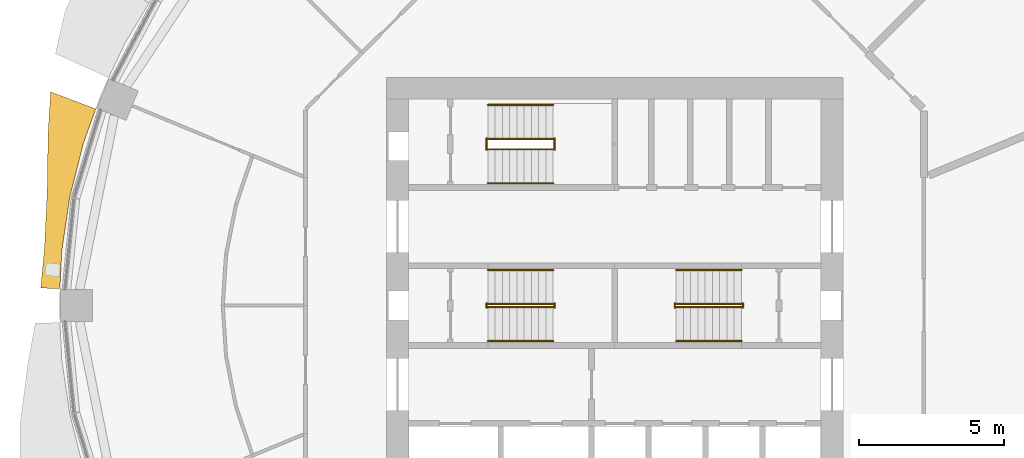
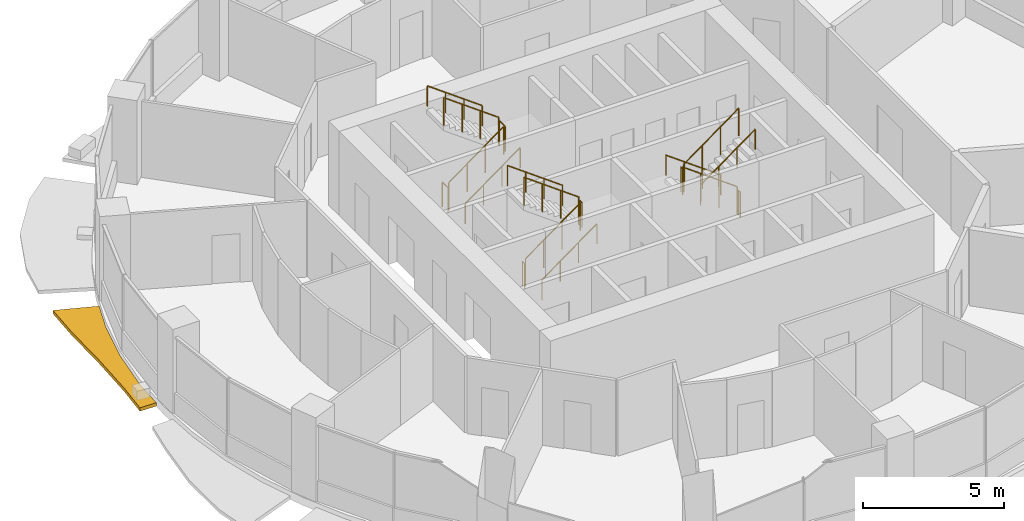
# One storey, part 12 of 14: 18 railings, 1 shading device.
"""IFC4 building model written with IfcOpenShell, lengths in metres."""

from ifc_helpers import new_model, si_unit, direction, frame, origin, origin_2d, place, context, subcontext, project, spatial, polyline, circle, outline, extrude, material, type_object, element, save


model = new_model("IFC4")

# Units and contexts
model_context = context("Model", 3, precision=1e-05, world=origin(), true_north=direction((0.0, 1.0)))
body_context = subcontext(model_context, "Body", "Model", "MODEL_VIEW")
ifc_project = project(units=[si_unit("LENGTHUNIT", "METRE"), si_unit("AREAUNIT", "SQUARE_METRE"), si_unit("VOLUMEUNIT", "CUBIC_METRE"), si_unit("PLANEANGLEUNIT", "RADIAN"), si_unit("MASSUNIT", "GRAM", prefix="KILO")], contexts=[model_context])

# Site, building, storey
site_placement = place(None, origin())
site = spatial("IfcSite", under=ifc_project, at=site_placement, CompositionType="ELEMENT")
building_placement = place(site_placement, origin())
building = spatial("IfcBuilding", under=site, at=building_placement, Name="Polderwave Tower", CompositionType="ELEMENT")
storey_placement = place(building_placement, frame((0.0, 0.0, 105.60009765625)))
storey = spatial("IfcBuildingStorey", under=building, at=storey_placement, Name="L27", CompositionType="ELEMENT", Elevation=105.60009765625)

# Railings
ifc_material_1 = material(Name="Stainless steel", Category="steel")
railing_type_1 = type_object("IfcRailingType", Name="Stair guard 1100", PredefinedType="GUARDRAIL", material=ifc_material_1)
railing_1_placement = place(storey_placement, frame((-4.3740234375, -0.051025390625, 0.062255859375)))
element("IfcRailing", 1, at=railing_1_placement, inside=storey, type_object=railing_type_1, Name="L27 ST-A stair guard 1", PredefinedType="GUARDRAIL", context=body_context, shape_type="SweptSolid", body=[
    extrude(circle(Radius=0.02392578125, at=origin_2d()), frame((0.0, 0.0, 1.1962890625), z_axis=(0.807673635365, 0.0, 0.58962979804), x_axis=(0.0, 1.0, 0.0)), (0.0, 0.0, 1.0), 2.785888671875),
    extrude(circle(Radius=0.02392578125, at=origin_2d()), origin(), (0.0, 0.0, 1.0), 1.172119140625),
    extrude(circle(Radius=0.02392578125, at=origin_2d()), frame((0.75, 0.0, 0.547607421875)), (0.0, 0.0, 1.0), 1.172119140625),
    extrude(circle(Radius=0.02392578125, at=origin_2d()), frame((1.5, 0.0, 1.094970703125)), (0.0, 0.0, 1.0), 1.172119140625),
    extrude(circle(Radius=0.02392578125, at=origin_2d()), frame((2.25, 0.0, 1.642578125)), (0.0, 0.0, 1.0), 1.172119140625),
])
railing_2_placement = place(storey_placement, frame((-2.073974609375, -0.074951171875, 1.824951171875)))
element("IfcRailing", 2, at=railing_2_placement, inside=storey, type_object=railing_type_1, Name="L27 ST-A stair guard 2", PredefinedType="GUARDRAIL", context=body_context, shape_type="SweptSolid", body=[
    extrude(circle(Radius=0.02392578125, at=origin_2d()), frame((0.0, 0.0, 1.076171875), z_axis=(0.0, 1.0, 0.0), x_axis=(-1.0, 0.0, 0.0)), (0.0, 0.0, 1.0), 0.14990234375),
    extrude(circle(Radius=0.02099609375, at=origin_2d()), origin(), (0.0, 0.0, 1.0), 1.052001953125),
    extrude(circle(Radius=0.02099609375, at=origin_2d()), frame((0.0, 0.14990234375, 0.0)), (0.0, 0.0, 1.0), 1.052001953125),
])
railing_3_placement = place(storey_placement, frame((-2.1240234375, 0.051025390625, 1.88720703125)))
element("IfcRailing", 3, at=railing_3_placement, inside=storey, type_object=railing_type_1, Name="L27 ST-A stair guard 3", PredefinedType="GUARDRAIL", context=body_context, shape_type="SweptSolid", body=[
    extrude(circle(Radius=0.02392578125, at=origin_2d()), frame((0.0, 0.0, 1.1962890625), z_axis=(-0.807673635365, 0.0, 0.58962979804), x_axis=(0.0, -1.0, 0.0)), (0.0, 0.0, 1.0), 2.785888671875),
    extrude(circle(Radius=0.02392578125, at=origin_2d()), origin(), (0.0, 0.0, 1.0), 1.172119140625),
    extrude(circle(Radius=0.02392578125, at=origin_2d()), frame((-0.75, 0.0, 0.547607421875)), (0.0, 0.0, 1.0), 1.172119140625),
    extrude(circle(Radius=0.02392578125, at=origin_2d()), frame((-1.5, 0.0, 1.094970703125)), (0.0, 0.0, 1.0), 1.172119140625),
    extrude(circle(Radius=0.02392578125, at=origin_2d()), frame((-2.25, 0.0, 1.642578125)), (0.0, 0.0, 1.0), 1.172119140625),
])
railing_4_placement = place(storey_placement, frame((-4.424072265625, -0.074951171875, 0.0)))
element("IfcRailing", 4, at=railing_4_placement, inside=storey, type_object=railing_type_1, Name="L27 ST-A stair guard 4", PredefinedType="GUARDRAIL", context=body_context, shape_type="SweptSolid", body=[
    extrude(circle(Radius=0.02392578125, at=origin_2d()), frame((0.0, 0.0, 1.076171875), z_axis=(0.0, 1.0, 0.0), x_axis=(-1.0, 0.0, 0.0)), (0.0, 0.0, 1.0), 0.14990234375),
    extrude(circle(Radius=0.02099609375, at=origin_2d()), origin(), (0.0, 0.0, 1.0), 1.052001953125),
    extrude(circle(Radius=0.02099609375, at=origin_2d()), frame((0.0, 0.14990234375, 0.0)), (0.0, 0.0, 1.0), 1.052001953125),
])
railing_5_placement = place(storey_placement, frame((4.3740234375, 0.051025390625, 0.062255859375)))
element("IfcRailing", 5, at=railing_5_placement, inside=storey, type_object=railing_type_1, Name="L27 ST-B stair guard 1", PredefinedType="GUARDRAIL", context=body_context, shape_type="SweptSolid", body=[
    extrude(circle(Radius=0.02392578125, at=origin_2d()), frame((0.0, 0.0, 1.1962890625), z_axis=(-0.807673635365, 0.0, 0.58962979804), x_axis=(0.0, -1.0, 0.0)), (0.0, 0.0, 1.0), 2.785888671875),
    extrude(circle(Radius=0.02392578125, at=origin_2d()), origin(), (0.0, 0.0, 1.0), 1.172119140625),
    extrude(circle(Radius=0.02392578125, at=origin_2d()), frame((-0.75, 0.0, 0.547607421875)), (0.0, 0.0, 1.0), 1.172119140625),
    extrude(circle(Radius=0.02392578125, at=origin_2d()), frame((-1.5, 0.0, 1.094970703125)), (0.0, 0.0, 1.0), 1.172119140625),
    extrude(circle(Radius=0.02392578125, at=origin_2d()), frame((-2.25, 0.0, 1.642578125)), (0.0, 0.0, 1.0), 1.172119140625),
])
railing_6_placement = place(storey_placement, frame((2.073974609375, 0.074951171875, 1.824951171875)))
element("IfcRailing", 6, at=railing_6_placement, inside=storey, type_object=railing_type_1, Name="L27 ST-B stair guard 2", PredefinedType="GUARDRAIL", context=body_context, shape_type="SweptSolid", body=[
    extrude(circle(Radius=0.02392578125, at=origin_2d()), frame((0.0, 0.0, 1.076171875), z_axis=(0.0, -1.0, 0.0), x_axis=(1.0, 0.0, 0.0)), (0.0, 0.0, 1.0), 0.14990234375),
    extrude(circle(Radius=0.02099609375, at=origin_2d()), origin(), (0.0, 0.0, 1.0), 1.052001953125),
    extrude(circle(Radius=0.02099609375, at=origin_2d()), frame((0.0, -0.14990234375, 0.0)), (0.0, 0.0, 1.0), 1.052001953125),
])
railing_7_placement = place(storey_placement, frame((2.1240234375, -0.051025390625, 1.88720703125)))
element("IfcRailing", 7, at=railing_7_placement, inside=storey, type_object=railing_type_1, Name="L27 ST-B stair guard 3", PredefinedType="GUARDRAIL", context=body_context, shape_type="SweptSolid", body=[
    extrude(circle(Radius=0.02392578125, at=origin_2d()), frame((0.0, 0.0, 1.1962890625), z_axis=(0.807673635365, 0.0, 0.58962979804), x_axis=(0.0, 1.0, 0.0)), (0.0, 0.0, 1.0), 2.785888671875),
    extrude(circle(Radius=0.02392578125, at=origin_2d()), origin(), (0.0, 0.0, 1.0), 1.172119140625),
    extrude(circle(Radius=0.02392578125, at=origin_2d()), frame((0.75, 0.0, 0.547607421875)), (0.0, 0.0, 1.0), 1.172119140625),
    extrude(circle(Radius=0.02392578125, at=origin_2d()), frame((1.5, 0.0, 1.094970703125)), (0.0, 0.0, 1.0), 1.172119140625),
    extrude(circle(Radius=0.02392578125, at=origin_2d()), frame((2.25, 0.0, 1.642578125)), (0.0, 0.0, 1.0), 1.172119140625),
])
railing_8_placement = place(storey_placement, frame((4.424072265625, 0.074951171875, 0.0)))
element("IfcRailing", 8, at=railing_8_placement, inside=storey, type_object=railing_type_1, Name="L27 ST-B stair guard 4", PredefinedType="GUARDRAIL", context=body_context, shape_type="SweptSolid", body=[
    extrude(circle(Radius=0.02392578125, at=origin_2d()), frame((0.0, 0.0, 1.076171875), z_axis=(0.0, -1.0, 0.0), x_axis=(1.0, 0.0, 0.0)), (0.0, 0.0, 1.0), 0.14990234375),
    extrude(circle(Radius=0.02099609375, at=origin_2d()), origin(), (0.0, 0.0, 1.0), 1.052001953125),
    extrude(circle(Radius=0.02099609375, at=origin_2d()), frame((0.0, -0.14990234375, 0.0)), (0.0, 0.0, 1.0), 1.052001953125),
])
railing_9_placement = place(storey_placement, frame((-4.3740234375, 5.39794921875, 0.062255859375)))
element("IfcRailing", 9, at=railing_9_placement, inside=storey, type_object=railing_type_1, Name="L27 ST-C stair guard 1", PredefinedType="GUARDRAIL", context=body_context, shape_type="SweptSolid", body=[
    extrude(circle(Radius=0.02392578125, at=origin_2d()), frame((0.0, 0.0, 1.1962890625), z_axis=(0.807673635365, 0.0, 0.58962979804), x_axis=(0.0, 1.0, 0.0)), (0.0, 0.0, 1.0), 2.785888671875),
    extrude(circle(Radius=0.02392578125, at=origin_2d()), origin(), (0.0, 0.0, 1.0), 1.172119140625),
    extrude(circle(Radius=0.02392578125, at=origin_2d()), frame((0.75, 0.0, 0.547607421875)), (0.0, 0.0, 1.0), 1.172119140625),
    extrude(circle(Radius=0.02392578125, at=origin_2d()), frame((1.5, 0.0, 1.094970703125)), (0.0, 0.0, 1.0), 1.172119140625),
    extrude(circle(Radius=0.02392578125, at=origin_2d()), frame((2.25, 0.0, 1.642578125)), (0.0, 0.0, 1.0), 1.172119140625),
])
railing_10_placement = place(storey_placement, frame((-2.073974609375, 5.3740234375, 1.824951171875)))
element("IfcRailing", 10, at=railing_10_placement, inside=storey, type_object=railing_type_1, Name="L27 ST-C stair guard 2", PredefinedType="GUARDRAIL", context=body_context, shape_type="SweptSolid", body=[
    extrude(circle(Radius=0.02392578125, at=origin_2d()), frame((0.0, 0.0, 1.076171875), z_axis=(0.0, 1.0, 0.0), x_axis=(-1.0, 0.0, 0.0)), (0.0, 0.0, 1.0), 0.39990234375),
    extrude(circle(Radius=0.02099609375, at=origin_2d()), origin(), (0.0, 0.0, 1.0), 1.052001953125),
    extrude(circle(Radius=0.02099609375, at=origin_2d()), frame((0.0, 0.39990234375, 0.0)), (0.0, 0.0, 1.0), 1.052001953125),
])
railing_11_placement = place(storey_placement, frame((-2.1240234375, 5.75, 1.88720703125)))
element("IfcRailing", 11, at=railing_11_placement, inside=storey, type_object=railing_type_1, Name="L27 ST-C stair guard 3", PredefinedType="GUARDRAIL", context=body_context, shape_type="SweptSolid", body=[
    extrude(circle(Radius=0.02392578125, at=origin_2d()), frame((0.0, 0.0, 1.1962890625), z_axis=(-0.807673635365, 0.0, 0.58962979804), x_axis=(0.0, -1.0, 0.0)), (0.0, 0.0, 1.0), 2.785888671875),
    extrude(circle(Radius=0.02392578125, at=origin_2d()), origin(), (0.0, 0.0, 1.0), 1.172119140625),
    extrude(circle(Radius=0.02392578125, at=origin_2d()), frame((-0.75, 0.0, 0.547607421875)), (0.0, 0.0, 1.0), 1.172119140625),
    extrude(circle(Radius=0.02392578125, at=origin_2d()), frame((-1.5, 0.0, 1.094970703125)), (0.0, 0.0, 1.0), 1.172119140625),
    extrude(circle(Radius=0.02392578125, at=origin_2d()), frame((-2.25, 0.0, 1.642578125)), (0.0, 0.0, 1.0), 1.172119140625),
])
railing_12_placement = place(storey_placement, frame((-4.424072265625, 5.3740234375, 0.0)))
element("IfcRailing", 12, at=railing_12_placement, inside=storey, type_object=railing_type_1, Name="L27 ST-C stair guard 4", PredefinedType="GUARDRAIL", context=body_context, shape_type="SweptSolid", body=[
    extrude(circle(Radius=0.02392578125, at=origin_2d()), frame((0.0, 0.0, 1.076171875), z_axis=(0.0, 1.0, 0.0), x_axis=(-1.0, 0.0, 0.0)), (0.0, 0.0, 1.0), 0.39990234375),
    extrude(circle(Radius=0.02099609375, at=origin_2d()), origin(), (0.0, 0.0, 1.0), 1.052001953125),
    extrude(circle(Radius=0.02099609375, at=origin_2d()), frame((0.0, 0.39990234375, 0.0)), (0.0, 0.0, 1.0), 1.052001953125),
])
railing_type_2 = type_object("IfcRailingType", Name="Stair handrail 900", PredefinedType="HANDRAIL", material=ifc_material_1)
railing_13_placement = place(storey_placement, frame((-4.3740234375, -1.22509765625, 0.182373046875)))
element("IfcRailing", 13, at=railing_13_placement, inside=storey, type_object=railing_type_2, Name="L27 ST-A stair handrail 1", PredefinedType="HANDRAIL", context=body_context, shape_type="SweptSolid", body=[
    extrude(circle(Radius=0.02392578125, at=origin_2d()), frame((0.0, 0.0, 0.8759765625), z_axis=(0.807673635365, 0.0, 0.58962979804), x_axis=(0.0, 1.0, 0.0)), (0.0, 0.0, 1.0), 2.785888671875),
    extrude(circle(Radius=0.02099609375, at=origin_2d()), origin(), (0.0, 0.0, 1.0), 0.851806640625),
    extrude(circle(Radius=0.02099609375, at=origin_2d()), frame((0.75, 0.0, 0.547607421875)), (0.0, 0.0, 1.0), 0.851806640625),
    extrude(circle(Radius=0.02099609375, at=origin_2d()), frame((1.5, 0.0, 1.094970703125)), (0.0, 0.0, 1.0), 0.851806640625),
    extrude(circle(Radius=0.02099609375, at=origin_2d()), frame((2.25, 0.0, 1.642578125)), (0.0, 0.0, 1.0), 0.851806640625),
])
for number, where, name in (
    (14, (-2.1240234375, 1.22509765625, 2.00732421875), "L27 ST-A stair handrail 2"),
    (15, (4.3740234375, 1.22509765625, 0.182373046875), "L27 ST-B stair handrail 1"),
):
    element("IfcRailing", number, at=place(storey_placement, frame(where)), inside=storey, type_object=railing_type_2, Name=name, PredefinedType="HANDRAIL", context=body_context, shape_type="SweptSolid", body=[
        extrude(circle(Radius=0.02392578125, at=origin_2d()), frame((0.0, 0.0, 0.8759765625), z_axis=(-0.807673635365, 0.0, 0.58962979804), x_axis=(0.0, -1.0, 0.0)), (0.0, 0.0, 1.0), 2.785888671875),
        extrude(circle(Radius=0.02099609375, at=origin_2d()), origin(), (0.0, 0.0, 1.0), 0.851806640625),
        extrude(circle(Radius=0.02099609375, at=origin_2d()), frame((-0.75, 0.0, 0.547607421875)), (0.0, 0.0, 1.0), 0.851806640625),
        extrude(circle(Radius=0.02099609375, at=origin_2d()), frame((-1.5, 0.0, 1.094970703125)), (0.0, 0.0, 1.0), 0.851806640625),
        extrude(circle(Radius=0.02099609375, at=origin_2d()), frame((-2.25, 0.0, 1.642578125)), (0.0, 0.0, 1.0), 0.851806640625),
    ])
for number, where, name in (
    (16, (2.1240234375, -1.22509765625, 2.00732421875), "L27 ST-B stair handrail 2"),
    (17, (-4.3740234375, 4.22412109375, 0.182373046875), "L27 ST-C stair handrail 1"),
):
    element("IfcRailing", number, at=place(storey_placement, frame(where)), inside=storey, type_object=railing_type_2, Name=name, PredefinedType="HANDRAIL", context=body_context, shape_type="SweptSolid", body=[
        extrude(circle(Radius=0.02392578125, at=origin_2d()), frame((0.0, 0.0, 0.8759765625), z_axis=(0.807673635365, 0.0, 0.58962979804), x_axis=(0.0, 1.0, 0.0)), (0.0, 0.0, 1.0), 2.785888671875),
        extrude(circle(Radius=0.02099609375, at=origin_2d()), origin(), (0.0, 0.0, 1.0), 0.851806640625),
        extrude(circle(Radius=0.02099609375, at=origin_2d()), frame((0.75, 0.0, 0.547607421875)), (0.0, 0.0, 1.0), 0.851806640625),
        extrude(circle(Radius=0.02099609375, at=origin_2d()), frame((1.5, 0.0, 1.094970703125)), (0.0, 0.0, 1.0), 0.851806640625),
        extrude(circle(Radius=0.02099609375, at=origin_2d()), frame((2.25, 0.0, 1.642578125)), (0.0, 0.0, 1.0), 0.851806640625),
    ])
railing_14_placement = place(storey_placement, frame((-2.1240234375, 6.924072265625, 2.00732421875)))
element("IfcRailing", 18, at=railing_14_placement, inside=storey, type_object=railing_type_2, Name="L27 ST-C stair handrail 2", PredefinedType="HANDRAIL", context=body_context, shape_type="SweptSolid", body=[
    extrude(circle(Radius=0.02392578125, at=origin_2d()), frame((0.0, 0.0, 0.8759765625), z_axis=(-0.807673635365, 0.0, 0.58962979804), x_axis=(0.0, -1.0, 0.0)), (0.0, 0.0, 1.0), 2.785888671875),
    extrude(circle(Radius=0.02099609375, at=origin_2d()), origin(), (0.0, 0.0, 1.0), 0.851806640625),
    extrude(circle(Radius=0.02099609375, at=origin_2d()), frame((-0.75, 0.0, 0.547607421875)), (0.0, 0.0, 1.0), 0.851806640625),
    extrude(circle(Radius=0.02099609375, at=origin_2d()), frame((-1.5, 0.0, 1.094970703125)), (0.0, 0.0, 1.0), 0.851806640625),
    extrude(circle(Radius=0.02099609375, at=origin_2d()), frame((-2.25, 0.0, 1.642578125)), (0.0, 0.0, 1.0), 0.851806640625),
])

# Shading device
ifc_material_2 = material(Name="Terracotta", Category="masonry")
shading_device_type = type_object("IfcShadingDeviceType", Name="Terracotta sunshade band", PredefinedType="USERDEFINED", material=ifc_material_2)
shading_device_placement = place(storey_placement, frame((0.0, 0.0, -0.35009765625)))
element("IfcShadingDevice", 19, at=shading_device_placement, inside=storey, type_object=shading_device_type, Name="Sunshade band L27 8", ObjectType="SUNSHADE", PredefinedType="USERDEFINED", context=body_context, shape_type="SweptSolid", body=[
    extrude(outline(polyline([(-17.9169921875, 6.789306640625), (-18.35400390625, 5.567626953125), (-18.8115234375, 3.74169921875), (-19.087646484375, 1.8798828125), (-19.1513671875, 0.584228515625), (-19.814697265625, 0.6044921875), (-19.685791015625, 1.93896484375), (-19.591796875, 3.89697265625), (-19.560791015625, 5.93359375), (-19.4697265625, 7.37744140625), (-17.9169921875, 6.789306640625)])), origin(), (0.0, 0.0, 1.0), 0.14990234375),
])

save(model, "model.ifc")
